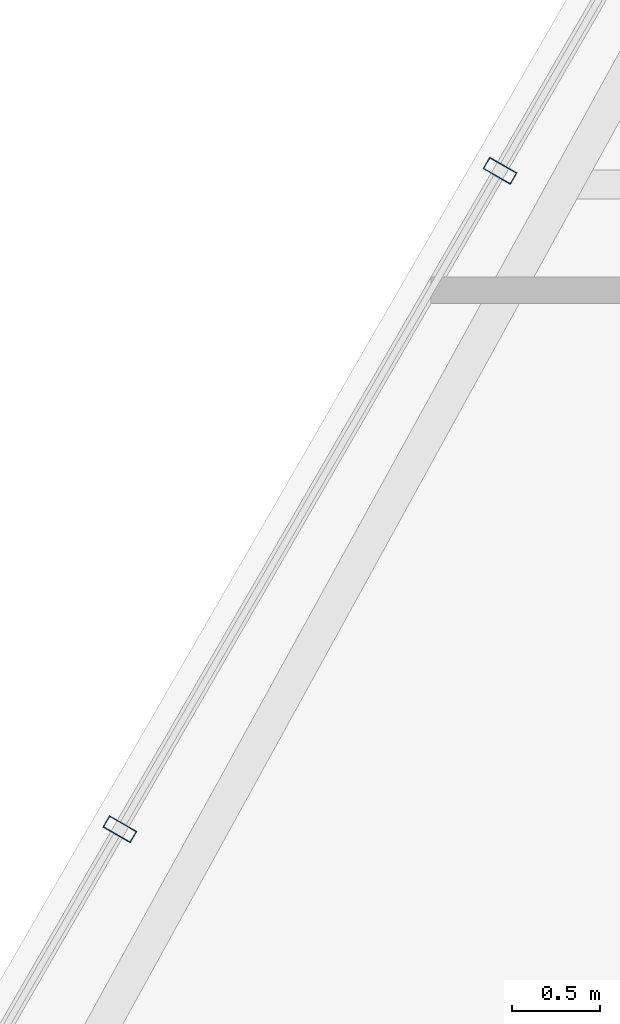
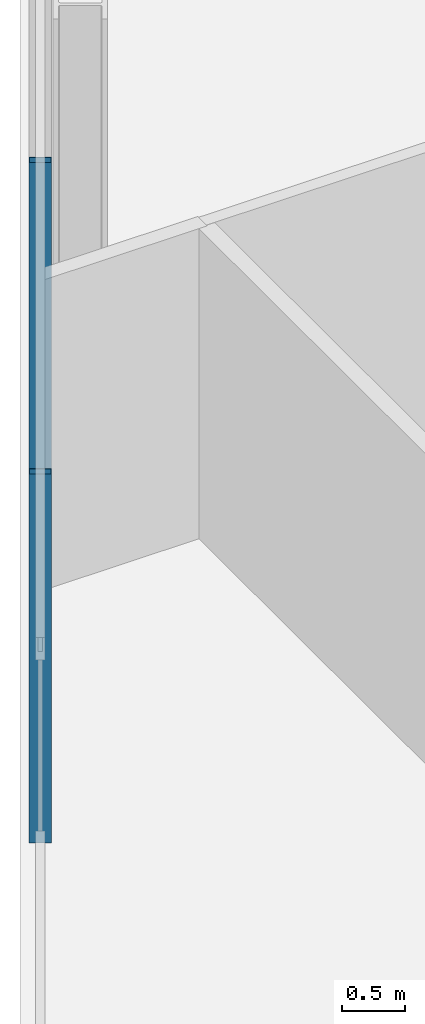
# One storey, part 10 of 30: 2 members, 1 element without a shape of its own.
"""IFC4 building model written with IfcOpenShell, lengths in metres."""

from ifc_helpers import new_model, si_unit, direction, frame, origin, origin_2d, place, context, subcontext, project, spatial, hollow_rectangle, extrude, material, layer, layer_set, material_profile, profile_set, type_object, element, aggregate, save


model = new_model("IFC4")

# Units and contexts
model_context = context("Model", 3, precision=1e-05, world=origin(), true_north=direction((0.0, 1.0)))
body_context = subcontext(model_context, "Body", "Model", "MODEL_VIEW")
ifc_project = project(units=[si_unit("LENGTHUNIT", "METRE"), si_unit("AREAUNIT", "SQUARE_METRE"), si_unit("VOLUMEUNIT", "CUBIC_METRE"), si_unit("PLANEANGLEUNIT", "RADIAN"), si_unit("MASSUNIT", "GRAM", prefix="KILO")], contexts=[model_context])

# Site, building, storey
site_placement = place(None, origin())
site = spatial("IfcSite", under=ifc_project, at=site_placement, CompositionType="ELEMENT")
building_placement = place(site_placement, origin())
building = spatial("IfcBuilding", under=site, at=building_placement, Name="Ndaravel Arena Tower", CompositionType="ELEMENT")
storey_placement = place(building_placement, frame((0.0, 0.0, 221.800048828125)))
storey = spatial("IfcBuildingStorey", under=building, at=storey_placement, Name="L53", CompositionType="ELEMENT", Elevation=221.800048828125)

# Curtain wall, members
ifc_material_1 = material(Name="Aluminium", Category="aluminium")
ifc_layer = layer(ifc_material_1, 0.179931640625)
ifc_layer_set = layer_set([ifc_layer], Name="Aluminium")
curtain_wall_type = type_object("IfcCurtainWallType", Name="CW-SYS-03", PredefinedType="NOTDEFINED", material=ifc_layer_set)
curtain_wall_placement = place(storey_placement, origin())
curtain_wall = element("IfcCurtainWall", 1, at=curtain_wall_placement, inside=storey, type_object=curtain_wall_type, Name="L53 Faceted Crystal Curtain Wall CW-L53-E05", PredefinedType="NOTDEFINED")
ifc_material_2 = material(Name="Aluminium", Category="aluminium")
ifc_material_profile = material_profile(ifc_material_2, hollow_rectangle(XDim=0.074951171875, YDim=0.179931640625, WallThickness=0.00390625, at=origin_2d()), Name="CW MULLION 75x180x4")
ifc_profile_set = profile_set([ifc_material_profile], Name="Aluminium")
member_type = type_object("IfcMemberType", Name="MEM-CW-MUL180", PredefinedType="MULLION", material=ifc_profile_set)
member_1_placement = place(storey_placement, frame((27.302001953125, 26.8779296875, 0.0), z_axis=(0.0, 0.0, 1.0), x_axis=(-0.5, -0.866025403784, 0.0)))
member_1 = element("IfcMember", 2, at=member_1_placement, type_object=member_type, Name="CW-L53-E05 Mullion 05", PredefinedType="MULLION", context=body_context, shape_type="SweptSolid", body=[
    extrude(hollow_rectangle(XDim=0.074951171875, YDim=0.179931640625, WallThickness=0.00390625, at=origin_2d()), origin(), (0.0, 0.0, 1.0), 3.579833984375),
])
member_2_placement = place(storey_placement, frame((25.142578125, 23.137939453125, 0.0), z_axis=(0.0, 0.0, 1.0), x_axis=(-0.5, -0.866025403784, 0.0)))
member_2 = element("IfcMember", 3, at=member_2_placement, type_object=member_type, Name="CW-L53-E05 Mullion 06", PredefinedType="MULLION", context=body_context, shape_type="SweptSolid", body=[
    extrude(hollow_rectangle(XDim=0.074951171875, YDim=0.179931640625, WallThickness=0.00390625, at=origin_2d()), origin(), (0.0, 0.0, 1.0), 3.579833984375),
])
aggregate(curtain_wall, [member_1, member_2])

save(model, "model.ifc")
